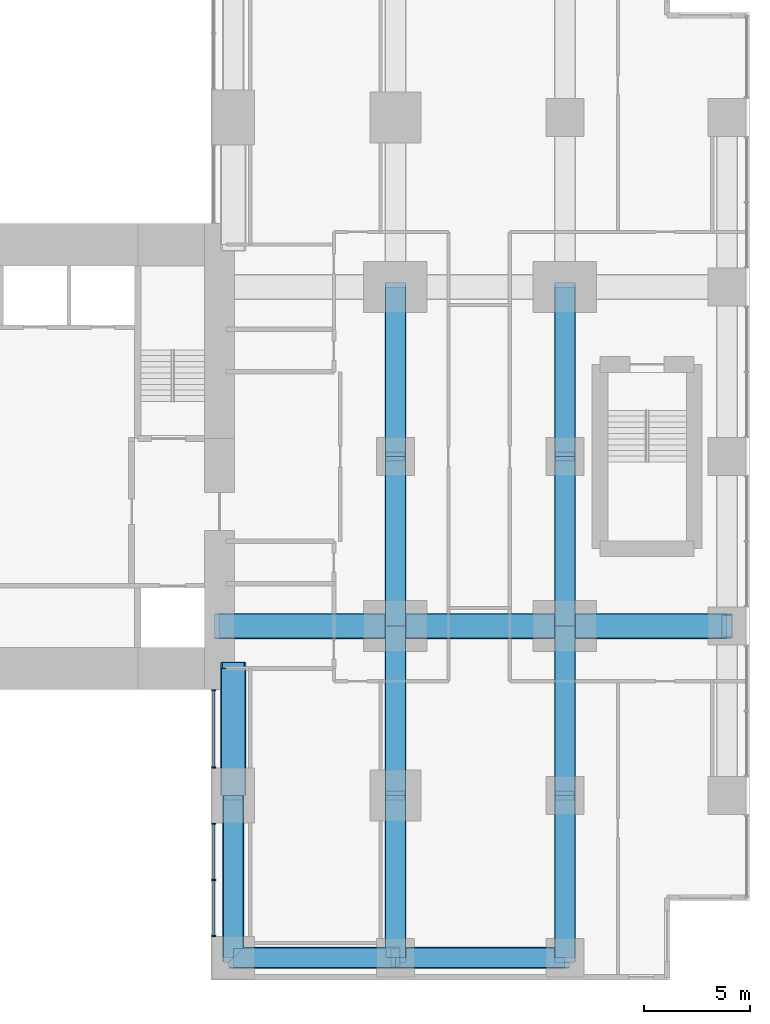
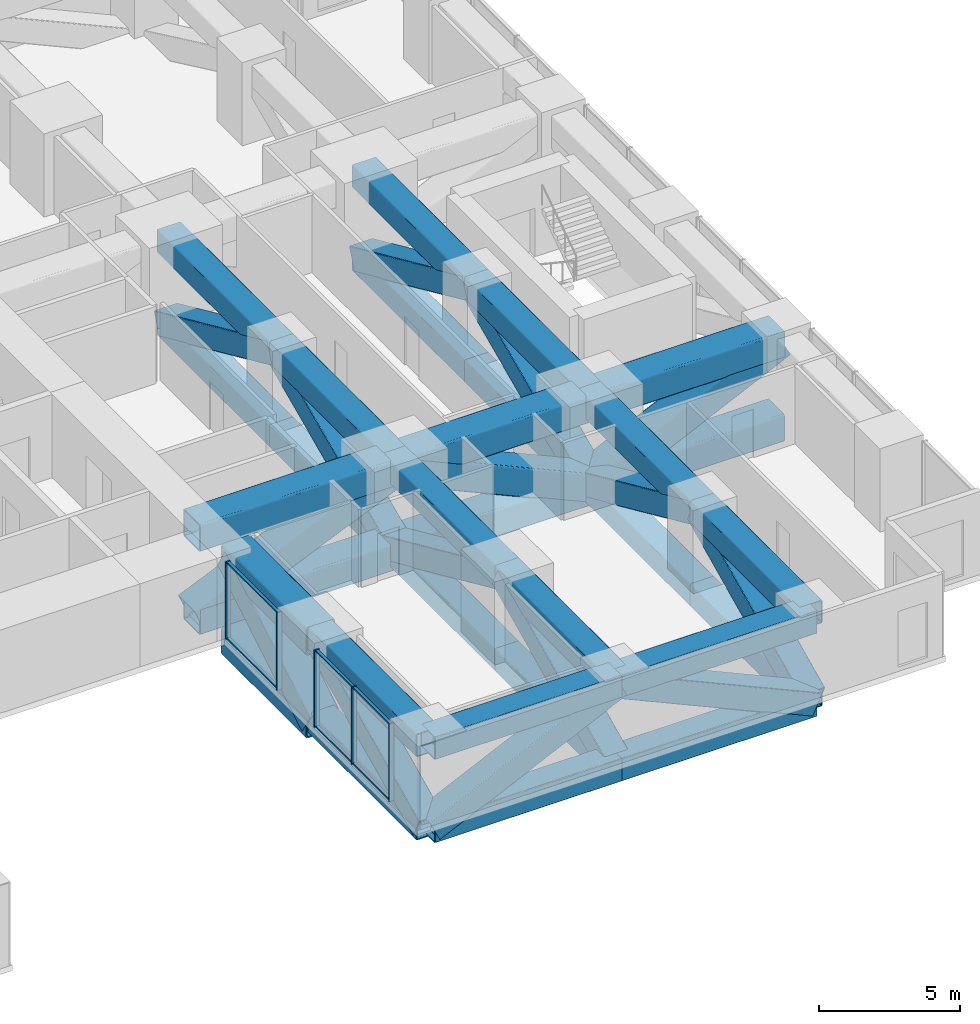
# One storey, part 4 of 14: 56 members, 2 elements without a shape of their own.
"""IFC4 building model written with IfcOpenShell, lengths in metres."""

from ifc_helpers import new_model, si_unit, direction, frame, origin, origin_2d, place, context, subcontext, project, spatial, rectangle, hollow_rectangle, extrude, material, layer, layer_set, material_profile, profile_set, type_object, element, aggregate, save


model = new_model("IFC4")

# Units and contexts
model_context = context("Model", 3, precision=1e-05, world=origin(), true_north=direction((0.0, 1.0)))
body_context = subcontext(model_context, "Body", "Model", "MODEL_VIEW")
ifc_project = project(units=[si_unit("LENGTHUNIT", "METRE"), si_unit("AREAUNIT", "SQUARE_METRE"), si_unit("VOLUMEUNIT", "CUBIC_METRE"), si_unit("PLANEANGLEUNIT", "RADIAN"), si_unit("MASSUNIT", "GRAM", prefix="KILO")], contexts=[model_context])

# Site, building, storey
site_placement = place(None, origin())
site = spatial("IfcSite", under=ifc_project, at=site_placement, CompositionType="ELEMENT")
building_placement = place(site_placement, origin())
building = spatial("IfcBuilding", under=site, at=building_placement, Name="Cleftline Residences", CompositionType="ELEMENT")
storey_placement = place(building_placement, frame((0.0, 0.0, 200.199951171875)))
storey = spatial("IfcBuildingStorey", under=building, at=storey_placement, Name="L52", CompositionType="ELEMENT", Elevation=200.199951171875)

# Members
ifc_material_1 = material(Name="Steel S355", Category="steel")
ifc_material_profile_1 = material_profile(ifc_material_1, hollow_rectangle(XDim=1.0, YDim=1.0, WallThickness=0.0400390625, InnerFilletRadius=0.0400390625, OuterFilletRadius=0.06005859375, at=origin_2d()))
ifc_profile_set_1 = profile_set([ifc_material_profile_1], Name="Steel S355")
member_type_1 = type_object("IfcMemberType", Name="BRACE BOX 1000X1000X40", PredefinedType="BRACE", material=ifc_profile_set_1)
for number, where, z_axis, x_axis, name in (
    (1, (42.35009765625, 0.35009765625, -0.75), (0.0, 0.904812157874, 0.425810942746), (0.0, -0.425810942746, 0.904812157874), "Belt truss diagonal"),
    (2, (50.0, 0.35009765625, -0.75), (0.0, 0.904812157874, 0.425810942746), (0.0, -0.425810942746, 0.904812157874), "Belt truss diagonal"),
):
    element("IfcMember", number, at=place(storey_placement, frame(where, z_axis=z_axis, x_axis=x_axis)), inside=storey, type_object=member_type_1, Name=name, PredefinedType="BRACE", context=body_context, shape_type="SweptSolid", body=[
        extrude(hollow_rectangle(XDim=1.0, YDim=1.0, WallThickness=0.0400390625, InnerFilletRadius=0.0400390625, OuterFilletRadius=0.06005859375, at=origin_2d()), origin(), (0.0, 0.0, 1.0), 8.45458984375),
    ])
for number, where, z_axis, x_axis, name in (
    (3, (50.0, 8.0, 2.85009765625), (0.0, 0.91191733938, -0.410373934525), (0.0, 0.410373934525, 0.91191733938), "Belt truss diagonal"),
    (4, (50.0, 16.0, -0.75), (0.0, 0.91191733938, 0.410373934525), (0.0, -0.410373934525, 0.91191733938), "Belt truss diagonal"),
    (5, (50.0, 24.0, 2.85009765625), (0.0, 0.91191733938, -0.410373934525), (0.0, 0.410373934525, 0.91191733938), "Belt truss diagonal"),
):
    element("IfcMember", number, at=place(storey_placement, frame(where, z_axis=z_axis, x_axis=x_axis)), inside=storey, type_object=member_type_1, Name=name, PredefinedType="BRACE", context=body_context, shape_type="SweptSolid", body=[
        extrude(hollow_rectangle(XDim=1.0, YDim=1.0, WallThickness=0.0400390625, InnerFilletRadius=0.0400390625, OuterFilletRadius=0.06005859375, at=origin_2d()), origin(), (0.0, 0.0, 1.0), 8.772705078125),
    ])
member_1_placement = place(storey_placement, frame((58.0, 0.35009765625, -0.75), z_axis=(0.0, 0.904812157874, 0.425810942746), x_axis=(0.0, -0.425810942746, 0.904812157874)))
element("IfcMember", 6, at=member_1_placement, inside=storey, type_object=member_type_1, Name="Belt truss diagonal", PredefinedType="BRACE", context=body_context, shape_type="SweptSolid", body=[
    extrude(hollow_rectangle(XDim=1.0, YDim=1.0, WallThickness=0.0400390625, InnerFilletRadius=0.0400390625, OuterFilletRadius=0.06005859375, at=origin_2d()), origin(), (0.0, 0.0, 1.0), 8.45458984375),
])
for number, where, z_axis, x_axis, name in (
    (7, (58.0, 8.0, 2.85009765625), (0.0, 0.91191733938, -0.410373934525), (0.0, 0.410373934525, 0.91191733938), "Belt truss diagonal"),
    (8, (58.0, 16.0, -0.75), (0.0, 0.91191733938, 0.410373934525), (0.0, -0.410373934525, 0.91191733938), "Belt truss diagonal"),
    (9, (58.0, 24.0, 2.85009765625), (0.0, 0.91191733938, -0.410373934525), (0.0, 0.410373934525, 0.91191733938), "Belt truss diagonal"),
):
    element("IfcMember", number, at=place(storey_placement, frame(where, z_axis=z_axis, x_axis=x_axis)), inside=storey, type_object=member_type_1, Name=name, PredefinedType="BRACE", context=body_context, shape_type="SweptSolid", body=[
        extrude(hollow_rectangle(XDim=1.0, YDim=1.0, WallThickness=0.0400390625, InnerFilletRadius=0.0400390625, OuterFilletRadius=0.06005859375, at=origin_2d()), origin(), (0.0, 0.0, 1.0), 8.772705078125),
    ])
member_2_placement = place(storey_placement, frame((42.35009765625, 0.35009765625, -0.75), z_axis=(0.904812157874, 0.0, 0.425810942746), x_axis=(-0.425810942746, 0.0, 0.904812157874)))
element("IfcMember", 10, at=member_2_placement, inside=storey, type_object=member_type_1, Name="Belt truss diagonal", PredefinedType="BRACE", context=body_context, shape_type="SweptSolid", body=[
    extrude(hollow_rectangle(XDim=1.0, YDim=1.0, WallThickness=0.0400390625, InnerFilletRadius=0.0400390625, OuterFilletRadius=0.06005859375, at=origin_2d()), origin(), (0.0, 0.0, 1.0), 8.45458984375),
])
member_3_placement = place(storey_placement, frame((50.0, 0.35009765625, 2.85009765625), z_axis=(0.91191733938, 0.0, -0.410373934525), x_axis=(0.410373934525, 0.0, 0.91191733938)))
element("IfcMember", 11, at=member_3_placement, inside=storey, type_object=member_type_1, Name="Belt truss diagonal", PredefinedType="BRACE", context=body_context, shape_type="SweptSolid", body=[
    extrude(hollow_rectangle(XDim=1.0, YDim=1.0, WallThickness=0.0400390625, InnerFilletRadius=0.0400390625, OuterFilletRadius=0.06005859375, at=origin_2d()), origin(), (0.0, 0.0, 1.0), 8.772705078125),
])
ifc_material_2 = material(Name="Steel S355", Category="steel")
ifc_material_profile_2 = material_profile(ifc_material_2, hollow_rectangle(XDim=1.199951171875, YDim=1.199951171875, WallThickness=0.06005859375, InnerFilletRadius=0.06005859375, OuterFilletRadius=0.090087890625, at=origin_2d()))
ifc_profile_set_2 = profile_set([ifc_material_profile_2], Name="Steel S355")
member_type_2 = type_object("IfcMemberType", Name="BRACE BOX 1200X1200X60", PredefinedType="BRACE", material=ifc_profile_set_2)
member_4_placement = place(storey_placement, frame((41.699951171875, 16.0, -0.849853515625), z_axis=(0.917427920438, 0.0, 0.397902011556), x_axis=(-0.397902011556, 0.0, 0.917427920438)))
element("IfcMember", 12, at=member_4_placement, inside=storey, type_object=member_type_2, Name="Outrigger truss diagonal", PredefinedType="BRACE", context=body_context, shape_type="SweptSolid", body=[
    extrude(hollow_rectangle(XDim=1.199951171875, YDim=1.199951171875, WallThickness=0.06005859375, InnerFilletRadius=0.06005859375, OuterFilletRadius=0.090087890625, at=origin_2d()), origin(), (0.0, 0.0, 1.0), 9.047119140625),
])
member_5_placement = place(storey_placement, frame((50.0, 16.0, 2.75), z_axis=(0.911927753762, 0.0, -0.410350791297), x_axis=(0.410350791297, 0.0, 0.911927753762)))
element("IfcMember", 13, at=member_5_placement, inside=storey, type_object=member_type_2, Name="Outrigger truss diagonal", PredefinedType="BRACE", context=body_context, shape_type="SweptSolid", body=[
    extrude(hollow_rectangle(XDim=1.199951171875, YDim=1.199951171875, WallThickness=0.06005859375, InnerFilletRadius=0.06005859375, OuterFilletRadius=0.090087890625, at=origin_2d()), origin(), (0.0, 0.0, 1.0), 8.772705078125),
])
member_6_placement = place(storey_placement, frame((58.0, 16.0, -0.849853515625), z_axis=(0.904823283159, 0.0, 0.425787301659), x_axis=(-0.425787301659, 0.0, 0.904823283159)))
element("IfcMember", 14, at=member_6_placement, inside=storey, type_object=member_type_2, Name="Outrigger truss diagonal", PredefinedType="BRACE", context=body_context, shape_type="SweptSolid", body=[
    extrude(hollow_rectangle(XDim=1.199951171875, YDim=1.199951171875, WallThickness=0.06005859375, InnerFilletRadius=0.06005859375, OuterFilletRadius=0.090087890625, at=origin_2d()), origin(), (0.0, 0.0, 1.0), 8.45458984375),
])
member_7_placement = place(storey_placement, frame((42.35009765625, 8.0, -0.849853515625), z_axis=(0.0, 0.857502161653, 0.51448036188), x_axis=(0.0, -0.51448036188, 0.857502161653)))
element("IfcMember", 15, at=member_7_placement, inside=storey, type_object=member_type_2, Name="Outrigger truss diagonal", PredefinedType="BRACE", context=body_context, shape_type="SweptSolid", body=[
    extrude(hollow_rectangle(XDim=1.199951171875, YDim=1.199951171875, WallThickness=0.06005859375, InnerFilletRadius=0.06005859375, OuterFilletRadius=0.090087890625, at=origin_2d()), origin(), (0.0, 0.0, 1.0), 6.9970703125),
])
ifc_material_3 = material(Name="Steel S355", Category="steel")
ifc_material_profile_3 = material_profile(ifc_material_3, hollow_rectangle(XDim=1.0, YDim=1.0, WallThickness=0.0400390625, InnerFilletRadius=0.0400390625, OuterFilletRadius=0.06005859375, at=origin_2d()))
ifc_profile_set_3 = profile_set([ifc_material_profile_3], Name="Steel S355")
member_type_3 = type_object("IfcMemberType", Name="CHORD BOX 1000X1000X40", PredefinedType="CHORD", material=ifc_profile_set_3)
for number, where, z_axis, x_axis, name in (
    (16, (42.35009765625, 0.35009765625, -0.75), (0.0, 1.0, 0.0), (-1.0, 0.0, 0.0), "Belt truss bottom chord"),
    (17, (42.35009765625, 0.35009765625, 2.85009765625), (0.0, 1.0, 0.0), (-1.0, 0.0, 0.0), "Belt truss top chord"),
    (18, (50.0, 0.35009765625, -0.75), (0.0, 1.0, 0.0), (-1.0, 0.0, 0.0), "Belt truss bottom chord"),
    (19, (50.0, 0.35009765625, 2.85009765625), (0.0, 1.0, 0.0), (-1.0, 0.0, 0.0), "Belt truss top chord"),
):
    element("IfcMember", number, at=place(storey_placement, frame(where, z_axis=z_axis, x_axis=x_axis)), inside=storey, type_object=member_type_3, Name=name, PredefinedType="CHORD", context=body_context, shape_type="SweptSolid", body=[
        extrude(hollow_rectangle(XDim=1.0, YDim=1.0, WallThickness=0.0400390625, InnerFilletRadius=0.0400390625, OuterFilletRadius=0.06005859375, at=origin_2d()), origin(), (0.0, 0.0, 1.0), 7.64990234375),
    ])
for number, where, z_axis, x_axis, name in (
    (20, (50.0, 8.0, -0.75), (0.0, 1.0, 0.0), (-1.0, 0.0, 0.0), "Belt truss bottom chord"),
    (21, (50.0, 8.0, 2.85009765625), (0.0, 1.0, 0.0), (-1.0, 0.0, 0.0), "Belt truss top chord"),
    (22, (50.0, 16.0, -0.75), (0.0, 1.0, 0.0), (-1.0, 0.0, 0.0), "Belt truss bottom chord"),
    (23, (50.0, 16.0, 2.85009765625), (0.0, 1.0, 0.0), (-1.0, 0.0, 0.0), "Belt truss top chord"),
    (24, (50.0, 24.0, -0.75), (0.0, 1.0, 0.0), (-1.0, 0.0, 0.0), "Belt truss bottom chord"),
    (25, (50.0, 24.0, 2.85009765625), (0.0, 1.0, 0.0), (-1.0, 0.0, 0.0), "Belt truss top chord"),
):
    element("IfcMember", number, at=place(storey_placement, frame(where, z_axis=z_axis, x_axis=x_axis)), inside=storey, type_object=member_type_3, Name=name, PredefinedType="CHORD", context=body_context, shape_type="SweptSolid", body=[
        extrude(hollow_rectangle(XDim=1.0, YDim=1.0, WallThickness=0.0400390625, InnerFilletRadius=0.0400390625, OuterFilletRadius=0.06005859375, at=origin_2d()), origin(), (0.0, 0.0, 1.0), 8.0),
    ])
for number, where, z_axis, x_axis, name in (
    (26, (58.0, 0.35009765625, -0.75), (0.0, 1.0, 0.0), (-1.0, 0.0, 0.0), "Belt truss bottom chord"),
    (27, (58.0, 0.35009765625, 2.85009765625), (0.0, 1.0, 0.0), (-1.0, 0.0, 0.0), "Belt truss top chord"),
):
    element("IfcMember", number, at=place(storey_placement, frame(where, z_axis=z_axis, x_axis=x_axis)), inside=storey, type_object=member_type_3, Name=name, PredefinedType="CHORD", context=body_context, shape_type="SweptSolid", body=[
        extrude(hollow_rectangle(XDim=1.0, YDim=1.0, WallThickness=0.0400390625, InnerFilletRadius=0.0400390625, OuterFilletRadius=0.06005859375, at=origin_2d()), origin(), (0.0, 0.0, 1.0), 7.64990234375),
    ])
for number, where, z_axis, x_axis, name in (
    (28, (58.0, 8.0, -0.75), (0.0, 1.0, 0.0), (-1.0, 0.0, 0.0), "Belt truss bottom chord"),
    (29, (58.0, 8.0, 2.85009765625), (0.0, 1.0, 0.0), (-1.0, 0.0, 0.0), "Belt truss top chord"),
    (30, (58.0, 16.0, -0.75), (0.0, 1.0, 0.0), (-1.0, 0.0, 0.0), "Belt truss bottom chord"),
    (31, (58.0, 16.0, 2.85009765625), (0.0, 1.0, 0.0), (-1.0, 0.0, 0.0), "Belt truss top chord"),
    (32, (58.0, 24.0, -0.75), (0.0, 1.0, 0.0), (-1.0, 0.0, 0.0), "Belt truss bottom chord"),
    (33, (58.0, 24.0, 2.85009765625), (0.0, 1.0, 0.0), (-1.0, 0.0, 0.0), "Belt truss top chord"),
):
    element("IfcMember", number, at=place(storey_placement, frame(where, z_axis=z_axis, x_axis=x_axis)), inside=storey, type_object=member_type_3, Name=name, PredefinedType="CHORD", context=body_context, shape_type="SweptSolid", body=[
        extrude(hollow_rectangle(XDim=1.0, YDim=1.0, WallThickness=0.0400390625, InnerFilletRadius=0.0400390625, OuterFilletRadius=0.06005859375, at=origin_2d()), origin(), (0.0, 0.0, 1.0), 8.0),
    ])
for number, where, z_axis, x_axis, name in (
    (34, (42.35009765625, 0.35009765625, -0.75), (1.0, 0.0, 0.0), (0.0, 1.0, 0.0), "Belt truss bottom chord"),
    (35, (42.35009765625, 0.35009765625, 2.85009765625), (1.0, 0.0, 0.0), (0.0, 1.0, 0.0), "Belt truss top chord"),
):
    element("IfcMember", number, at=place(storey_placement, frame(where, z_axis=z_axis, x_axis=x_axis)), inside=storey, type_object=member_type_3, Name=name, PredefinedType="CHORD", context=body_context, shape_type="SweptSolid", body=[
        extrude(hollow_rectangle(XDim=1.0, YDim=1.0, WallThickness=0.0400390625, InnerFilletRadius=0.0400390625, OuterFilletRadius=0.06005859375, at=origin_2d()), origin(), (0.0, 0.0, 1.0), 7.64990234375),
    ])
for number, where, z_axis, x_axis, name in (
    (36, (50.0, 0.35009765625, -0.75), (1.0, 0.0, 0.0), (0.0, 1.0, 0.0), "Belt truss bottom chord"),
    (37, (50.0, 0.35009765625, 2.85009765625), (1.0, 0.0, 0.0), (0.0, 1.0, 0.0), "Belt truss top chord"),
):
    element("IfcMember", number, at=place(storey_placement, frame(where, z_axis=z_axis, x_axis=x_axis)), inside=storey, type_object=member_type_3, Name=name, PredefinedType="CHORD", context=body_context, shape_type="SweptSolid", body=[
        extrude(hollow_rectangle(XDim=1.0, YDim=1.0, WallThickness=0.0400390625, InnerFilletRadius=0.0400390625, OuterFilletRadius=0.06005859375, at=origin_2d()), origin(), (0.0, 0.0, 1.0), 8.0),
    ])
ifc_material_4 = material(Name="Steel S355", Category="steel")
ifc_material_profile_4 = material_profile(ifc_material_4, hollow_rectangle(XDim=1.199951171875, YDim=1.199951171875, WallThickness=0.06005859375, InnerFilletRadius=0.06005859375, OuterFilletRadius=0.090087890625, at=origin_2d()))
ifc_profile_set_4 = profile_set([ifc_material_profile_4], Name="Steel S355")
member_type_4 = type_object("IfcMemberType", Name="CHORD BOX 1200X1200X60", PredefinedType="CHORD", material=ifc_profile_set_4)
for number, where, z_axis, x_axis, name in (
    (38, (41.699951171875, 16.0, -0.849853515625), (1.0, 0.0, 0.0), (0.0, 1.0, 0.0), "Outrigger truss bottom chord"),
    (39, (41.699951171875, 16.0, 2.75), (1.0, 0.0, 0.0), (0.0, 1.0, 0.0), "Outrigger truss top chord"),
):
    element("IfcMember", number, at=place(storey_placement, frame(where, z_axis=z_axis, x_axis=x_axis)), inside=storey, type_object=member_type_4, Name=name, PredefinedType="CHORD", context=body_context, shape_type="SweptSolid", body=[
        extrude(hollow_rectangle(XDim=1.199951171875, YDim=1.199951171875, WallThickness=0.06005859375, InnerFilletRadius=0.06005859375, OuterFilletRadius=0.090087890625, at=origin_2d()), origin(), (0.0, 0.0, 1.0), 8.300048828125),
    ])
for number, where, z_axis, x_axis, name in (
    (40, (50.0, 16.0, -0.849853515625), (1.0, 0.0, 0.0), (0.0, 1.0, 0.0), "Outrigger truss bottom chord"),
    (41, (50.0, 16.0, 2.75), (1.0, 0.0, 0.0), (0.0, 1.0, 0.0), "Outrigger truss top chord"),
):
    element("IfcMember", number, at=place(storey_placement, frame(where, z_axis=z_axis, x_axis=x_axis)), inside=storey, type_object=member_type_4, Name=name, PredefinedType="CHORD", context=body_context, shape_type="SweptSolid", body=[
        extrude(hollow_rectangle(XDim=1.199951171875, YDim=1.199951171875, WallThickness=0.06005859375, InnerFilletRadius=0.06005859375, OuterFilletRadius=0.090087890625, at=origin_2d()), origin(), (0.0, 0.0, 1.0), 8.0),
    ])
for number, where, z_axis, x_axis, name in (
    (42, (58.0, 16.0, -0.849853515625), (1.0, 0.0, 0.0), (0.0, 1.0, 0.0), "Outrigger truss bottom chord"),
    (43, (58.0, 16.0, 2.75), (1.0, 0.0, 0.0), (0.0, 1.0, 0.0), "Outrigger truss top chord"),
):
    element("IfcMember", number, at=place(storey_placement, frame(where, z_axis=z_axis, x_axis=x_axis)), inside=storey, type_object=member_type_4, Name=name, PredefinedType="CHORD", context=body_context, shape_type="SweptSolid", body=[
        extrude(hollow_rectangle(XDim=1.199951171875, YDim=1.199951171875, WallThickness=0.06005859375, InnerFilletRadius=0.06005859375, OuterFilletRadius=0.090087890625, at=origin_2d()), origin(), (0.0, 0.0, 1.0), 7.64990234375),
    ])
for number, where, z_axis, x_axis, name in (
    (44, (42.35009765625, 8.0, -0.849853515625), (0.0, 1.0, 0.0), (-1.0, 0.0, 0.0), "Outrigger truss bottom chord"),
    (45, (42.35009765625, 8.0, 2.75), (0.0, 1.0, 0.0), (-1.0, 0.0, 0.0), "Outrigger truss top chord"),
):
    element("IfcMember", number, at=place(storey_placement, frame(where, z_axis=z_axis, x_axis=x_axis)), inside=storey, type_object=member_type_4, Name=name, PredefinedType="CHORD", context=body_context, shape_type="SweptSolid", body=[
        extrude(hollow_rectangle(XDim=1.199951171875, YDim=1.199951171875, WallThickness=0.06005859375, InnerFilletRadius=0.06005859375, OuterFilletRadius=0.090087890625, at=origin_2d()), origin(), (0.0, 0.0, 1.0), 6.0),
    ])

# Curtain wall, members
ifc_material_5 = material(Name="Aluminium framed curtain wall", Category="aluminium")
ifc_layer = layer(ifc_material_5, 0.199951171875)
ifc_layer_set = layer_set([ifc_layer], Name="CW1 CLEFT GLAZING")
curtain_wall_type = type_object("IfcCurtainWallType", Name="CW1 CLEFT GLAZING", PredefinedType="NOTDEFINED", material=ifc_layer_set)
curtain_wall_1_placement = place(storey_placement, origin())
curtain_wall_1 = element("IfcCurtainWall", 46, at=curtain_wall_1_placement, inside=storey, type_object=curtain_wall_type, Name="Curtain wall CW1", PredefinedType="NOTDEFINED")
ifc_material_6 = material(Name="Aluminium mullion", Category="aluminium")
ifc_material_profile_5 = material_profile(ifc_material_6, rectangle(XDim=0.199951171875, YDim=0.06005859375, at=origin_2d()))
ifc_profile_set_5 = profile_set([ifc_material_profile_5], Name="Aluminium mullion")
member_type_5 = type_object("IfcMemberType", Name="CW1 MULLION", PredefinedType="MULLION", material=ifc_profile_set_5)
member_8_placement = place(storey_placement, frame((41.425048828125, 12.969970703125, 0.0), z_axis=(0.0, 0.0, 1.0), x_axis=(1.0, 0.0, 0.0)))
member_8 = element("IfcMember", 47, at=member_8_placement, type_object=member_type_5, Name="CW1 mullion 1", PredefinedType="MULLION", context=body_context, shape_type="SweptSolid", body=[
    extrude(rectangle(XDim=0.199951171875, YDim=0.06005859375, at=origin_2d()), origin(), (0.0, 0.0, 1.0), 3.35009765625),
])
member_9_placement = place(storey_placement, frame((41.425048828125, 9.330078125, 0.0), z_axis=(0.0, 0.0, 1.0), x_axis=(1.0, 0.0, 0.0)))
member_9 = element("IfcMember", 48, at=member_9_placement, type_object=member_type_5, Name="CW1 mullion 2", PredefinedType="MULLION", context=body_context, shape_type="SweptSolid", body=[
    extrude(rectangle(XDim=0.199951171875, YDim=0.06005859375, at=origin_2d()), origin(), (0.0, 0.0, 1.0), 3.35009765625),
])

curtain_wall_2_placement = place(storey_placement, origin())
curtain_wall_2 = element("IfcCurtainWall", 49, at=curtain_wall_2_placement, inside=storey, type_object=curtain_wall_type, Name="Curtain wall CW1", PredefinedType="NOTDEFINED")
member_10_placement = place(storey_placement, frame((41.425048828125, 6.669921875, 0.0), z_axis=(0.0, 0.0, 1.0), x_axis=(1.0, 0.0, 0.0)))
member_10 = element("IfcMember", 50, at=member_10_placement, type_object=member_type_5, Name="CW1 mullion 1", PredefinedType="MULLION", context=body_context, shape_type="SweptSolid", body=[
    extrude(rectangle(XDim=0.199951171875, YDim=0.06005859375, at=origin_2d()), origin(), (0.0, 0.0, 1.0), 3.35009765625),
])
member_11_placement = place(storey_placement, frame((41.425048828125, 4.02490234375, 0.0), z_axis=(0.0, 0.0, 1.0), x_axis=(1.0, 0.0, 0.0)))
member_11 = element("IfcMember", 51, at=member_11_placement, type_object=member_type_5, Name="CW1 mullion 2", PredefinedType="MULLION", context=body_context, shape_type="SweptSolid", body=[
    extrude(rectangle(XDim=0.199951171875, YDim=0.06005859375, at=origin_2d()), origin(), (0.0, 0.0, 1.0), 3.35009765625),
])
member_12_placement = place(storey_placement, frame((41.425048828125, 1.3798828125, 0.0), z_axis=(0.0, 0.0, 1.0), x_axis=(1.0, 0.0, 0.0)))
member_12 = element("IfcMember", 52, at=member_12_placement, type_object=member_type_5, Name="CW1 mullion 3", PredefinedType="MULLION", context=body_context, shape_type="SweptSolid", body=[
    extrude(rectangle(XDim=0.199951171875, YDim=0.06005859375, at=origin_2d()), origin(), (0.0, 0.0, 1.0), 3.35009765625),
])

# Member
ifc_material_7 = material(Name="Aluminium transom", Category="aluminium")
ifc_material_profile_6 = material_profile(ifc_material_7, rectangle(XDim=0.1201171875, YDim=0.06005859375, at=origin_2d()))
ifc_profile_set_6 = profile_set([ifc_material_profile_6], Name="Aluminium transom")
member_type_6 = type_object("IfcMemberType", Name="CW1 TRANSOM", PredefinedType="USERDEFINED", material=ifc_profile_set_6)
member_13_placement = place(storey_placement, frame((41.425048828125, 12.93994140625, 0.030029296875), z_axis=(0.0, -1.0, 0.0), x_axis=(1.0, 0.0, 0.0)))
member_13 = element("IfcMember", 53, at=member_13_placement, type_object=member_type_6, Name="CW1 transom 1.1", ObjectType="TRANSOM", PredefinedType="USERDEFINED", context=body_context, shape_type="SweptSolid", body=[
    extrude(rectangle(XDim=0.1201171875, YDim=0.06005859375, at=origin_2d()), origin(), (0.0, 0.0, 1.0), 3.579833984375),
])

member_14_placement = place(storey_placement, frame((41.425048828125, 12.93994140625, 3.320068359375), z_axis=(0.0, -1.0, 0.0), x_axis=(1.0, 0.0, 0.0)))
member_14 = element("IfcMember", 54, at=member_14_placement, type_object=member_type_6, Name="CW1 transom 1.2", ObjectType="TRANSOM", PredefinedType="USERDEFINED", context=body_context, shape_type="SweptSolid", body=[
    extrude(rectangle(XDim=0.1201171875, YDim=0.06005859375, at=origin_2d()), origin(), (0.0, 0.0, 1.0), 3.579833984375),
])

aggregate(curtain_wall_1, [member_8, member_9, member_13, member_14])

member_15_placement = place(storey_placement, frame((41.425048828125, 6.639892578125, 0.030029296875), z_axis=(0.0, -1.0, 0.0), x_axis=(1.0, 0.0, 0.0)))
member_15 = element("IfcMember", 55, at=member_15_placement, type_object=member_type_6, Name="CW1 transom 1.1", ObjectType="TRANSOM", PredefinedType="USERDEFINED", context=body_context, shape_type="SweptSolid", body=[
    extrude(rectangle(XDim=0.1201171875, YDim=0.06005859375, at=origin_2d()), origin(), (0.0, 0.0, 1.0), 2.5849609375),
])

member_16_placement = place(storey_placement, frame((41.425048828125, 6.639892578125, 3.320068359375), z_axis=(0.0, -1.0, 0.0), x_axis=(1.0, 0.0, 0.0)))
member_16 = element("IfcMember", 56, at=member_16_placement, type_object=member_type_6, Name="CW1 transom 1.2", ObjectType="TRANSOM", PredefinedType="USERDEFINED", context=body_context, shape_type="SweptSolid", body=[
    extrude(rectangle(XDim=0.1201171875, YDim=0.06005859375, at=origin_2d()), origin(), (0.0, 0.0, 1.0), 2.5849609375),
])

member_17_placement = place(storey_placement, frame((41.425048828125, 3.9951171875, 0.030029296875), z_axis=(0.0, -1.0, 0.0), x_axis=(1.0, 0.0, 0.0)))
member_17 = element("IfcMember", 57, at=member_17_placement, type_object=member_type_6, Name="CW1 transom 2.1", ObjectType="TRANSOM", PredefinedType="USERDEFINED", context=body_context, shape_type="SweptSolid", body=[
    extrude(rectangle(XDim=0.1201171875, YDim=0.06005859375, at=origin_2d()), origin(), (0.0, 0.0, 1.0), 2.585205078125),
])

member_18_placement = place(storey_placement, frame((41.425048828125, 3.9951171875, 3.320068359375), z_axis=(0.0, -1.0, 0.0), x_axis=(1.0, 0.0, 0.0)))
member_18 = element("IfcMember", 58, at=member_18_placement, type_object=member_type_6, Name="CW1 transom 2.2", ObjectType="TRANSOM", PredefinedType="USERDEFINED", context=body_context, shape_type="SweptSolid", body=[
    extrude(rectangle(XDim=0.1201171875, YDim=0.06005859375, at=origin_2d()), origin(), (0.0, 0.0, 1.0), 2.585205078125),
])

aggregate(curtain_wall_2, [member_10, member_11, member_12, member_15, member_16, member_17, member_18])

save(model, "model.ifc")
